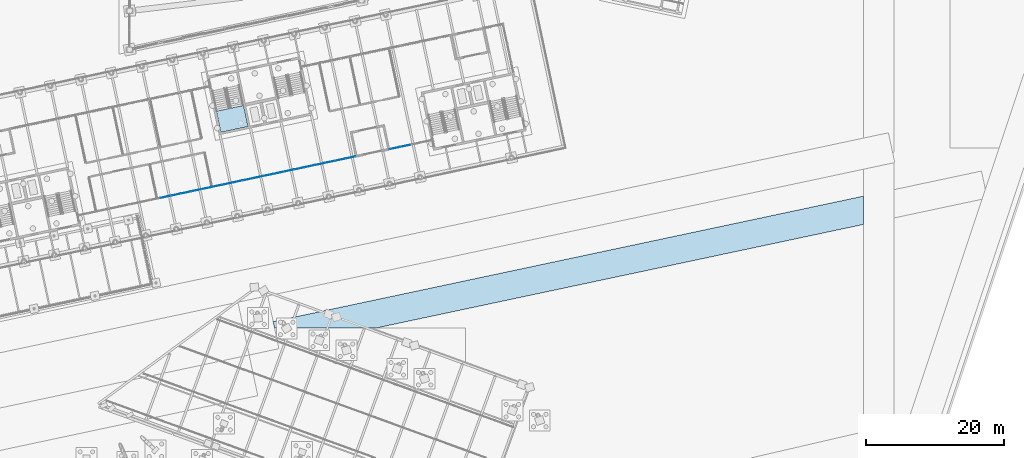
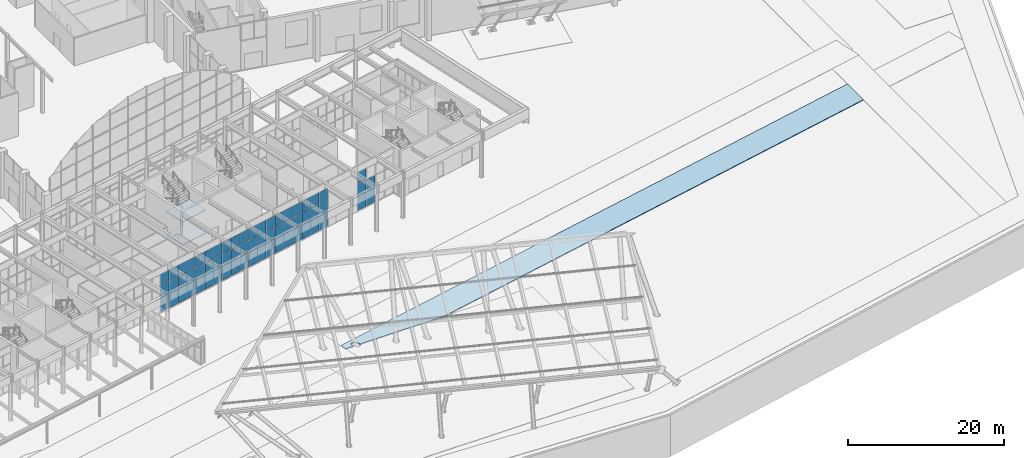
# One storey, part 150 of 239: 62 plates, 3 slabs, 3 elements without a shape of their own.
"""IFC4 building model written with IfcOpenShell, lengths in metres."""

from ifc_helpers import new_model, si_unit, direction, frame, origin, origin_2d, place, context, subcontext, project, spatial, polyline, rectangle, outline, extrude, material, layer, layer_set, type_object, element, aggregate, save


model = new_model("IFC4")

# Units and contexts
model_context = context("Model", 3, precision=1e-05, world=origin(), true_north=direction((0.0, 1.0)))
body_context = subcontext(model_context, "Body", "Model", "MODEL_VIEW")
ifc_project = project(units=[si_unit("LENGTHUNIT", "METRE"), si_unit("AREAUNIT", "SQUARE_METRE"), si_unit("VOLUMEUNIT", "CUBIC_METRE"), si_unit("PLANEANGLEUNIT", "RADIAN"), si_unit("MASSUNIT", "GRAM", prefix="KILO")], contexts=[model_context])

# Site, building, storey
site_placement = place(None, origin())
site = spatial("IfcSite", under=ifc_project, at=site_placement, CompositionType="ELEMENT")
building_placement = place(site_placement, origin())
building = spatial("IfcBuilding", under=site, at=building_placement, Name="Okhra Congress Centre", CompositionType="ELEMENT")
storey_placement = place(building_placement, origin())
storey = spatial("IfcBuildingStorey", under=building, at=storey_placement, Name="L00", CompositionType="ELEMENT", Elevation=0.0)

# Curtain wall, plates
ifc_material_1 = material(Name="Aluminium curtain wall, triple glazing", Category="aluminium")
curtain_wall_type = type_object("IfcCurtainWallType", Name="Curtain wall 1500 module", PredefinedType="NOTDEFINED", material=ifc_material_1)
curtain_wall_1_placement = place(storey_placement, origin())
curtain_wall_1 = element("IfcCurtainWall", 1, at=curtain_wall_1_placement, inside=storey, type_object=curtain_wall_type, Name="Ground curtain wall S4", PredefinedType="NOTDEFINED")
ifc_material_2 = material(Name="Triple glazing unit, low-e coating, argon fill", Category="glass")
ifc_layer_1 = layer(ifc_material_2, 0.028076171875)
ifc_layer_set_1 = layer_set([ifc_layer_1], Name="Curtain wall glazing unit 28")
plate_type = type_object("IfcPlateType", Name="Curtain wall glazing unit 28", PredefinedType="CURTAIN_PANEL", material=ifc_layer_set_1)
plate_1_placement = place(storey_placement, frame((160.68701171875, 52.95947265625, 0.06005859375), z_axis=(0.0, 0.0, 1.0), x_axis=(0.978147600734, 0.207911690818, 0.0)))
plate_1 = element("IfcPlate", 2, at=plate_1_placement, type_object=plate_type, Name="CW7 panel 9.1", PredefinedType="CURTAIN_PANEL", context=body_context, shape_type="SweptSolid", body=[
    extrude(rectangle(XDim=1.45703125, YDim=0.028076171875, at=origin_2d()), origin(), (0.0, 0.0, 1.0), 2.31005859375),
])
plate_2_placement = place(storey_placement, frame((160.68701171875, 52.95947265625, 2.43017578125), z_axis=(0.0, 0.0, 1.0), x_axis=(0.978147600734, 0.207911690818, 0.0)))
plate_2 = element("IfcPlate", 3, at=plate_2_placement, type_object=plate_type, Name="CW7 panel 9.2", PredefinedType="CURTAIN_PANEL", context=body_context, shape_type="SweptSolid", body=[
    extrude(rectangle(XDim=1.45703125, YDim=0.028076171875, at=origin_2d()), origin(), (0.0, 0.0, 1.0), 1.739990234375),
])
plate_3_placement = place(storey_placement, frame((160.68701171875, 52.95947265625, 4.22998046875), z_axis=(0.0, 0.0, 1.0), x_axis=(0.978147600734, 0.207911690818, 0.0)))
plate_3 = element("IfcPlate", 4, at=plate_3_placement, type_object=plate_type, Name="CW7 panel 9.3", PredefinedType="CURTAIN_PANEL", context=body_context, shape_type="SweptSolid", body=[
    extrude(rectangle(XDim=1.45703125, YDim=0.028076171875, at=origin_2d()), origin(), (0.0, 0.0, 1.0), 1.760009765625),
])
plate_4_placement = place(storey_placement, frame((162.1708984375, 53.27490234375, 0.06005859375), z_axis=(0.0, 0.0, 1.0), x_axis=(0.978147600734, 0.207911690818, 0.0)))
plate_4 = element("IfcPlate", 5, at=plate_4_placement, type_object=plate_type, Name="CW7 panel 10.1", PredefinedType="CURTAIN_PANEL", context=body_context, shape_type="SweptSolid", body=[
    extrude(rectangle(XDim=1.45703125, YDim=0.028076171875, at=origin_2d()), origin(), (0.0, 0.0, 1.0), 2.31005859375),
])
plate_5_placement = place(storey_placement, frame((162.1708984375, 53.27490234375, 2.43017578125), z_axis=(0.0, 0.0, 1.0), x_axis=(0.978147600734, 0.207911690818, 0.0)))
plate_5 = element("IfcPlate", 6, at=plate_5_placement, type_object=plate_type, Name="CW7 panel 10.2", PredefinedType="CURTAIN_PANEL", context=body_context, shape_type="SweptSolid", body=[
    extrude(rectangle(XDim=1.45703125, YDim=0.028076171875, at=origin_2d()), origin(), (0.0, 0.0, 1.0), 1.739990234375),
])
plate_6_placement = place(storey_placement, frame((162.1708984375, 53.27490234375, 4.22998046875), z_axis=(0.0, 0.0, 1.0), x_axis=(0.978147600734, 0.207911690818, 0.0)))
plate_6 = element("IfcPlate", 7, at=plate_6_placement, type_object=plate_type, Name="CW7 panel 10.3", PredefinedType="CURTAIN_PANEL", context=body_context, shape_type="SweptSolid", body=[
    extrude(rectangle(XDim=1.45703125, YDim=0.028076171875, at=origin_2d()), origin(), (0.0, 0.0, 1.0), 1.760009765625),
])
plate_7_placement = place(storey_placement, frame((163.65478515625, 53.59033203125, 0.06005859375), z_axis=(0.0, 0.0, 1.0), x_axis=(0.978147600734, 0.207911690818, 0.0)))
plate_7 = element("IfcPlate", 8, at=plate_7_placement, type_object=plate_type, Name="CW7 panel 11.1", PredefinedType="CURTAIN_PANEL", context=body_context, shape_type="SweptSolid", body=[
    extrude(rectangle(XDim=1.45703125, YDim=0.028076171875, at=origin_2d()), origin(), (0.0, 0.0, 1.0), 2.31005859375),
])
plate_8_placement = place(storey_placement, frame((163.65478515625, 53.59033203125, 2.43017578125), z_axis=(0.0, 0.0, 1.0), x_axis=(0.978147600734, 0.207911690818, 0.0)))
plate_8 = element("IfcPlate", 9, at=plate_8_placement, type_object=plate_type, Name="CW7 panel 11.2", PredefinedType="CURTAIN_PANEL", context=body_context, shape_type="SweptSolid", body=[
    extrude(rectangle(XDim=1.45703125, YDim=0.028076171875, at=origin_2d()), origin(), (0.0, 0.0, 1.0), 1.739990234375),
])
plate_9_placement = place(storey_placement, frame((163.65478515625, 53.59033203125, 4.22998046875), z_axis=(0.0, 0.0, 1.0), x_axis=(0.978147600734, 0.207911690818, 0.0)))
plate_9 = element("IfcPlate", 10, at=plate_9_placement, type_object=plate_type, Name="CW7 panel 11.3", PredefinedType="CURTAIN_PANEL", context=body_context, shape_type="SweptSolid", body=[
    extrude(rectangle(XDim=1.45703125, YDim=0.028076171875, at=origin_2d()), origin(), (0.0, 0.0, 1.0), 1.760009765625),
])
plate_10_placement = place(storey_placement, frame((165.138671875, 53.90576171875, 0.06005859375), z_axis=(0.0, 0.0, 1.0), x_axis=(0.978147600734, 0.207911690818, 0.0)))
plate_10 = element("IfcPlate", 11, at=plate_10_placement, type_object=plate_type, Name="CW7 panel 12.1", PredefinedType="CURTAIN_PANEL", context=body_context, shape_type="SweptSolid", body=[
    extrude(rectangle(XDim=1.45703125, YDim=0.028076171875, at=origin_2d()), origin(), (0.0, 0.0, 1.0), 2.31005859375),
])
plate_11_placement = place(storey_placement, frame((165.138671875, 53.90576171875, 2.43017578125), z_axis=(0.0, 0.0, 1.0), x_axis=(0.978147600734, 0.207911690818, 0.0)))
plate_11 = element("IfcPlate", 12, at=plate_11_placement, type_object=plate_type, Name="CW7 panel 12.2", PredefinedType="CURTAIN_PANEL", context=body_context, shape_type="SweptSolid", body=[
    extrude(rectangle(XDim=1.45703125, YDim=0.028076171875, at=origin_2d()), origin(), (0.0, 0.0, 1.0), 1.739990234375),
])
plate_12_placement = place(storey_placement, frame((165.138671875, 53.90576171875, 4.22998046875), z_axis=(0.0, 0.0, 1.0), x_axis=(0.978147600734, 0.207911690818, 0.0)))
plate_12 = element("IfcPlate", 13, at=plate_12_placement, type_object=plate_type, Name="CW7 panel 12.3", PredefinedType="CURTAIN_PANEL", context=body_context, shape_type="SweptSolid", body=[
    extrude(rectangle(XDim=1.45703125, YDim=0.028076171875, at=origin_2d()), origin(), (0.0, 0.0, 1.0), 1.760009765625),
])
plate_13_placement = place(storey_placement, frame((166.62255859375, 54.22119140625, 0.06005859375), z_axis=(0.0, 0.0, 1.0), x_axis=(0.978147600734, 0.207911690818, 0.0)))
plate_13 = element("IfcPlate", 14, at=plate_13_placement, type_object=plate_type, Name="CW7 panel 13.1", PredefinedType="CURTAIN_PANEL", context=body_context, shape_type="SweptSolid", body=[
    extrude(rectangle(XDim=1.45703125, YDim=0.028076171875, at=origin_2d()), origin(), (0.0, 0.0, 1.0), 2.31005859375),
])
plate_14_placement = place(storey_placement, frame((166.62255859375, 54.22119140625, 2.43017578125), z_axis=(0.0, 0.0, 1.0), x_axis=(0.978147600734, 0.207911690818, 0.0)))
plate_14 = element("IfcPlate", 15, at=plate_14_placement, type_object=plate_type, Name="CW7 panel 13.2", PredefinedType="CURTAIN_PANEL", context=body_context, shape_type="SweptSolid", body=[
    extrude(rectangle(XDim=1.45703125, YDim=0.028076171875, at=origin_2d()), origin(), (0.0, 0.0, 1.0), 1.739990234375),
])
plate_15_placement = place(storey_placement, frame((166.62255859375, 54.22119140625, 4.22998046875), z_axis=(0.0, 0.0, 1.0), x_axis=(0.978147600734, 0.207911690818, 0.0)))
plate_15 = element("IfcPlate", 16, at=plate_15_placement, type_object=plate_type, Name="CW7 panel 13.3", PredefinedType="CURTAIN_PANEL", context=body_context, shape_type="SweptSolid", body=[
    extrude(rectangle(XDim=1.45703125, YDim=0.028076171875, at=origin_2d()), origin(), (0.0, 0.0, 1.0), 1.760009765625),
])
plate_16_placement = place(storey_placement, frame((168.1064453125, 54.53662109375, 0.06005859375), z_axis=(0.0, 0.0, 1.0), x_axis=(0.978147600734, 0.207911690818, 0.0)))
plate_16 = element("IfcPlate", 17, at=plate_16_placement, type_object=plate_type, Name="CW7 panel 14.1", PredefinedType="CURTAIN_PANEL", context=body_context, shape_type="SweptSolid", body=[
    extrude(rectangle(XDim=1.45703125, YDim=0.028076171875, at=origin_2d()), origin(), (0.0, 0.0, 1.0), 2.31005859375),
])
plate_17_placement = place(storey_placement, frame((168.1064453125, 54.53662109375, 2.43017578125), z_axis=(0.0, 0.0, 1.0), x_axis=(0.978147600734, 0.207911690818, 0.0)))
plate_17 = element("IfcPlate", 18, at=plate_17_placement, type_object=plate_type, Name="CW7 panel 14.2", PredefinedType="CURTAIN_PANEL", context=body_context, shape_type="SweptSolid", body=[
    extrude(rectangle(XDim=1.45703125, YDim=0.028076171875, at=origin_2d()), origin(), (0.0, 0.0, 1.0), 1.739990234375),
])
plate_18_placement = place(storey_placement, frame((168.1064453125, 54.53662109375, 4.22998046875), z_axis=(0.0, 0.0, 1.0), x_axis=(0.978147600734, 0.207911690818, 0.0)))
plate_18 = element("IfcPlate", 19, at=plate_18_placement, type_object=plate_type, Name="CW7 panel 14.3", PredefinedType="CURTAIN_PANEL", context=body_context, shape_type="SweptSolid", body=[
    extrude(rectangle(XDim=1.45703125, YDim=0.028076171875, at=origin_2d()), origin(), (0.0, 0.0, 1.0), 1.760009765625),
])
plate_19_placement = place(storey_placement, frame((169.59033203125, 54.85205078125, 0.06005859375), z_axis=(0.0, 0.0, 1.0), x_axis=(0.978147600734, 0.207911690818, 0.0)))
plate_19 = element("IfcPlate", 20, at=plate_19_placement, type_object=plate_type, Name="CW7 panel 15.1", PredefinedType="CURTAIN_PANEL", context=body_context, shape_type="SweptSolid", body=[
    extrude(rectangle(XDim=1.45703125, YDim=0.028076171875, at=origin_2d()), origin(), (0.0, 0.0, 1.0), 2.31005859375),
])
plate_20_placement = place(storey_placement, frame((169.59033203125, 54.85205078125, 2.43017578125), z_axis=(0.0, 0.0, 1.0), x_axis=(0.978147600734, 0.207911690818, 0.0)))
plate_20 = element("IfcPlate", 21, at=plate_20_placement, type_object=plate_type, Name="CW7 panel 15.2", PredefinedType="CURTAIN_PANEL", context=body_context, shape_type="SweptSolid", body=[
    extrude(rectangle(XDim=1.45703125, YDim=0.028076171875, at=origin_2d()), origin(), (0.0, 0.0, 1.0), 1.739990234375),
])
plate_21_placement = place(storey_placement, frame((169.59033203125, 54.85205078125, 4.22998046875), z_axis=(0.0, 0.0, 1.0), x_axis=(0.978147600734, 0.207911690818, 0.0)))
plate_21 = element("IfcPlate", 22, at=plate_21_placement, type_object=plate_type, Name="CW7 panel 15.3", PredefinedType="CURTAIN_PANEL", context=body_context, shape_type="SweptSolid", body=[
    extrude(rectangle(XDim=1.45703125, YDim=0.028076171875, at=origin_2d()), origin(), (0.0, 0.0, 1.0), 1.760009765625),
])
plate_22_placement = place(storey_placement, frame((171.07421875, 55.16748046875, 0.06005859375), z_axis=(0.0, 0.0, 1.0), x_axis=(0.978147600734, 0.207911690818, 0.0)))
plate_22 = element("IfcPlate", 23, at=plate_22_placement, type_object=plate_type, Name="CW7 panel 16.1", PredefinedType="CURTAIN_PANEL", context=body_context, shape_type="SweptSolid", body=[
    extrude(rectangle(XDim=1.45703125, YDim=0.028076171875, at=origin_2d()), origin(), (0.0, 0.0, 1.0), 2.31005859375),
])
plate_23_placement = place(storey_placement, frame((171.07421875, 55.16748046875, 2.43017578125), z_axis=(0.0, 0.0, 1.0), x_axis=(0.978147600734, 0.207911690818, 0.0)))
plate_23 = element("IfcPlate", 24, at=plate_23_placement, type_object=plate_type, Name="CW7 panel 16.2", PredefinedType="CURTAIN_PANEL", context=body_context, shape_type="SweptSolid", body=[
    extrude(rectangle(XDim=1.45703125, YDim=0.028076171875, at=origin_2d()), origin(), (0.0, 0.0, 1.0), 1.739990234375),
])
plate_24_placement = place(storey_placement, frame((171.07421875, 55.16748046875, 4.22998046875), z_axis=(0.0, 0.0, 1.0), x_axis=(0.978147600734, 0.207911690818, 0.0)))
plate_24 = element("IfcPlate", 25, at=plate_24_placement, type_object=plate_type, Name="CW7 panel 16.3", PredefinedType="CURTAIN_PANEL", context=body_context, shape_type="SweptSolid", body=[
    extrude(rectangle(XDim=1.45703125, YDim=0.028076171875, at=origin_2d()), origin(), (0.0, 0.0, 1.0), 1.760009765625),
])
plate_25_placement = place(storey_placement, frame((172.55810546875, 55.482666015625, 0.06005859375), z_axis=(0.0, 0.0, 1.0), x_axis=(0.978147600734, 0.207911690818, 0.0)))
plate_25 = element("IfcPlate", 26, at=plate_25_placement, type_object=plate_type, Name="CW7 panel 17.1", PredefinedType="CURTAIN_PANEL", context=body_context, shape_type="SweptSolid", body=[
    extrude(rectangle(XDim=1.45703125, YDim=0.028076171875, at=origin_2d()), origin(), (0.0, 0.0, 1.0), 2.31005859375),
])
plate_26_placement = place(storey_placement, frame((172.55810546875, 55.482666015625, 2.43017578125), z_axis=(0.0, 0.0, 1.0), x_axis=(0.978147600734, 0.207911690818, 0.0)))
plate_26 = element("IfcPlate", 27, at=plate_26_placement, type_object=plate_type, Name="CW7 panel 17.2", PredefinedType="CURTAIN_PANEL", context=body_context, shape_type="SweptSolid", body=[
    extrude(rectangle(XDim=1.45703125, YDim=0.028076171875, at=origin_2d()), origin(), (0.0, 0.0, 1.0), 1.739990234375),
])
plate_27_placement = place(storey_placement, frame((172.55810546875, 55.482666015625, 4.22998046875), z_axis=(0.0, 0.0, 1.0), x_axis=(0.978147600734, 0.207911690818, 0.0)))
plate_27 = element("IfcPlate", 28, at=plate_27_placement, type_object=plate_type, Name="CW7 panel 17.3", PredefinedType="CURTAIN_PANEL", context=body_context, shape_type="SweptSolid", body=[
    extrude(rectangle(XDim=1.45703125, YDim=0.028076171875, at=origin_2d()), origin(), (0.0, 0.0, 1.0), 1.760009765625),
])
plate_28_placement = place(storey_placement, frame((174.0419921875, 55.798095703125, 0.06005859375), z_axis=(0.0, 0.0, 1.0), x_axis=(0.978147600734, 0.207911690818, 0.0)))
plate_28 = element("IfcPlate", 29, at=plate_28_placement, type_object=plate_type, Name="CW7 panel 18.1", PredefinedType="CURTAIN_PANEL", context=body_context, shape_type="SweptSolid", body=[
    extrude(rectangle(XDim=1.45703125, YDim=0.028076171875, at=origin_2d()), origin(), (0.0, 0.0, 1.0), 2.31005859375),
])
plate_29_placement = place(storey_placement, frame((174.0419921875, 55.798095703125, 2.43017578125), z_axis=(0.0, 0.0, 1.0), x_axis=(0.978147600734, 0.207911690818, 0.0)))
plate_29 = element("IfcPlate", 30, at=plate_29_placement, type_object=plate_type, Name="CW7 panel 18.2", PredefinedType="CURTAIN_PANEL", context=body_context, shape_type="SweptSolid", body=[
    extrude(rectangle(XDim=1.45703125, YDim=0.028076171875, at=origin_2d()), origin(), (0.0, 0.0, 1.0), 1.739990234375),
])
plate_30_placement = place(storey_placement, frame((174.0419921875, 55.798095703125, 4.22998046875), z_axis=(0.0, 0.0, 1.0), x_axis=(0.978147600734, 0.207911690818, 0.0)))
plate_30 = element("IfcPlate", 31, at=plate_30_placement, type_object=plate_type, Name="CW7 panel 18.3", PredefinedType="CURTAIN_PANEL", context=body_context, shape_type="SweptSolid", body=[
    extrude(rectangle(XDim=1.45703125, YDim=0.028076171875, at=origin_2d()), origin(), (0.0, 0.0, 1.0), 1.760009765625),
])
plate_31_placement = place(storey_placement, frame((175.52587890625, 56.113525390625, 0.06005859375), z_axis=(0.0, 0.0, 1.0), x_axis=(0.978147600734, 0.207911690818, 0.0)))
plate_31 = element("IfcPlate", 32, at=plate_31_placement, type_object=plate_type, Name="CW7 panel 19.1", PredefinedType="CURTAIN_PANEL", context=body_context, shape_type="SweptSolid", body=[
    extrude(rectangle(XDim=1.45703125, YDim=0.028076171875, at=origin_2d()), origin(), (0.0, 0.0, 1.0), 2.31005859375),
])
plate_32_placement = place(storey_placement, frame((175.52587890625, 56.113525390625, 2.43017578125), z_axis=(0.0, 0.0, 1.0), x_axis=(0.978147600734, 0.207911690818, 0.0)))
plate_32 = element("IfcPlate", 33, at=plate_32_placement, type_object=plate_type, Name="CW7 panel 19.2", PredefinedType="CURTAIN_PANEL", context=body_context, shape_type="SweptSolid", body=[
    extrude(rectangle(XDim=1.45703125, YDim=0.028076171875, at=origin_2d()), origin(), (0.0, 0.0, 1.0), 1.739990234375),
])
plate_33_placement = place(storey_placement, frame((175.52587890625, 56.113525390625, 4.22998046875), z_axis=(0.0, 0.0, 1.0), x_axis=(0.978147600734, 0.207911690818, 0.0)))
plate_33 = element("IfcPlate", 34, at=plate_33_placement, type_object=plate_type, Name="CW7 panel 19.3", PredefinedType="CURTAIN_PANEL", context=body_context, shape_type="SweptSolid", body=[
    extrude(rectangle(XDim=1.45703125, YDim=0.028076171875, at=origin_2d()), origin(), (0.0, 0.0, 1.0), 1.760009765625),
])
plate_34_placement = place(storey_placement, frame((177.009765625, 56.428955078125, 0.06005859375), z_axis=(0.0, 0.0, 1.0), x_axis=(0.978147600734, 0.207911690818, 0.0)))
plate_34 = element("IfcPlate", 35, at=plate_34_placement, type_object=plate_type, Name="CW7 panel 20.1", PredefinedType="CURTAIN_PANEL", context=body_context, shape_type="SweptSolid", body=[
    extrude(rectangle(XDim=1.45703125, YDim=0.028076171875, at=origin_2d()), origin(), (0.0, 0.0, 1.0), 2.31005859375),
])
plate_35_placement = place(storey_placement, frame((177.009765625, 56.428955078125, 2.43017578125), z_axis=(0.0, 0.0, 1.0), x_axis=(0.978147600734, 0.207911690818, 0.0)))
plate_35 = element("IfcPlate", 36, at=plate_35_placement, type_object=plate_type, Name="CW7 panel 20.2", PredefinedType="CURTAIN_PANEL", context=body_context, shape_type="SweptSolid", body=[
    extrude(rectangle(XDim=1.45703125, YDim=0.028076171875, at=origin_2d()), origin(), (0.0, 0.0, 1.0), 1.739990234375),
])
plate_36_placement = place(storey_placement, frame((177.009765625, 56.428955078125, 4.22998046875), z_axis=(0.0, 0.0, 1.0), x_axis=(0.978147600734, 0.207911690818, 0.0)))
plate_36 = element("IfcPlate", 37, at=plate_36_placement, type_object=plate_type, Name="CW7 panel 20.3", PredefinedType="CURTAIN_PANEL", context=body_context, shape_type="SweptSolid", body=[
    extrude(rectangle(XDim=1.45703125, YDim=0.028076171875, at=origin_2d()), origin(), (0.0, 0.0, 1.0), 1.760009765625),
])
plate_37_placement = place(storey_placement, frame((178.49365234375, 56.744384765625, 0.06005859375), z_axis=(0.0, 0.0, 1.0), x_axis=(0.978147600734, 0.207911690818, 0.0)))
plate_37 = element("IfcPlate", 38, at=plate_37_placement, type_object=plate_type, Name="CW7 panel 21.1", PredefinedType="CURTAIN_PANEL", context=body_context, shape_type="SweptSolid", body=[
    extrude(rectangle(XDim=1.45703125, YDim=0.028076171875, at=origin_2d()), origin(), (0.0, 0.0, 1.0), 2.31005859375),
])
plate_38_placement = place(storey_placement, frame((178.49365234375, 56.744384765625, 2.43017578125), z_axis=(0.0, 0.0, 1.0), x_axis=(0.978147600734, 0.207911690818, 0.0)))
plate_38 = element("IfcPlate", 39, at=plate_38_placement, type_object=plate_type, Name="CW7 panel 21.2", PredefinedType="CURTAIN_PANEL", context=body_context, shape_type="SweptSolid", body=[
    extrude(rectangle(XDim=1.45703125, YDim=0.028076171875, at=origin_2d()), origin(), (0.0, 0.0, 1.0), 1.739990234375),
])
plate_39_placement = place(storey_placement, frame((178.49365234375, 56.744384765625, 4.22998046875), z_axis=(0.0, 0.0, 1.0), x_axis=(0.978147600734, 0.207911690818, 0.0)))
plate_39 = element("IfcPlate", 40, at=plate_39_placement, type_object=plate_type, Name="CW7 panel 21.3", PredefinedType="CURTAIN_PANEL", context=body_context, shape_type="SweptSolid", body=[
    extrude(rectangle(XDim=1.45703125, YDim=0.028076171875, at=origin_2d()), origin(), (0.0, 0.0, 1.0), 1.760009765625),
])
plate_40_placement = place(storey_placement, frame((179.9775390625, 57.059814453125, 0.06005859375), z_axis=(0.0, 0.0, 1.0), x_axis=(0.978147600734, 0.207911690818, 0.0)))
plate_40 = element("IfcPlate", 41, at=plate_40_placement, type_object=plate_type, Name="CW7 panel 22.1", PredefinedType="CURTAIN_PANEL", context=body_context, shape_type="SweptSolid", body=[
    extrude(rectangle(XDim=1.45703125, YDim=0.028076171875, at=origin_2d()), origin(), (0.0, 0.0, 1.0), 2.31005859375),
])
plate_41_placement = place(storey_placement, frame((179.9775390625, 57.059814453125, 2.43017578125), z_axis=(0.0, 0.0, 1.0), x_axis=(0.978147600734, 0.207911690818, 0.0)))
plate_41 = element("IfcPlate", 42, at=plate_41_placement, type_object=plate_type, Name="CW7 panel 22.2", PredefinedType="CURTAIN_PANEL", context=body_context, shape_type="SweptSolid", body=[
    extrude(rectangle(XDim=1.45703125, YDim=0.028076171875, at=origin_2d()), origin(), (0.0, 0.0, 1.0), 1.739990234375),
])
plate_42_placement = place(storey_placement, frame((179.9775390625, 57.059814453125, 4.22998046875), z_axis=(0.0, 0.0, 1.0), x_axis=(0.978147600734, 0.207911690818, 0.0)))
plate_42 = element("IfcPlate", 43, at=plate_42_placement, type_object=plate_type, Name="CW7 panel 22.3", PredefinedType="CURTAIN_PANEL", context=body_context, shape_type="SweptSolid", body=[
    extrude(rectangle(XDim=1.45703125, YDim=0.028076171875, at=origin_2d()), origin(), (0.0, 0.0, 1.0), 1.760009765625),
])
plate_43_placement = place(storey_placement, frame((181.46142578125, 57.375244140625, 0.06005859375), z_axis=(0.0, 0.0, 1.0), x_axis=(0.978147600734, 0.207911690818, 0.0)))
plate_43 = element("IfcPlate", 44, at=plate_43_placement, type_object=plate_type, Name="CW7 panel 23.1", PredefinedType="CURTAIN_PANEL", context=body_context, shape_type="SweptSolid", body=[
    extrude(rectangle(XDim=1.45703125, YDim=0.028076171875, at=origin_2d()), origin(), (0.0, 0.0, 1.0), 2.31005859375),
])
plate_44_placement = place(storey_placement, frame((181.46142578125, 57.375244140625, 2.43017578125), z_axis=(0.0, 0.0, 1.0), x_axis=(0.978147600734, 0.207911690818, 0.0)))
plate_44 = element("IfcPlate", 45, at=plate_44_placement, type_object=plate_type, Name="CW7 panel 23.2", PredefinedType="CURTAIN_PANEL", context=body_context, shape_type="SweptSolid", body=[
    extrude(rectangle(XDim=1.45703125, YDim=0.028076171875, at=origin_2d()), origin(), (0.0, 0.0, 1.0), 1.739990234375),
])
plate_45_placement = place(storey_placement, frame((181.46142578125, 57.375244140625, 4.22998046875), z_axis=(0.0, 0.0, 1.0), x_axis=(0.978147600734, 0.207911690818, 0.0)))
plate_45 = element("IfcPlate", 46, at=plate_45_placement, type_object=plate_type, Name="CW7 panel 23.3", PredefinedType="CURTAIN_PANEL", context=body_context, shape_type="SweptSolid", body=[
    extrude(rectangle(XDim=1.45703125, YDim=0.028076171875, at=origin_2d()), origin(), (0.0, 0.0, 1.0), 1.760009765625),
])
plate_46_placement = place(storey_placement, frame((182.9453125, 57.690673828125, 0.06005859375), z_axis=(0.0, 0.0, 1.0), x_axis=(0.978147600734, 0.207911690818, 0.0)))
plate_46 = element("IfcPlate", 47, at=plate_46_placement, type_object=plate_type, Name="CW7 panel 24.1", PredefinedType="CURTAIN_PANEL", context=body_context, shape_type="SweptSolid", body=[
    extrude(rectangle(XDim=1.45703125, YDim=0.028076171875, at=origin_2d()), origin(), (0.0, 0.0, 1.0), 2.31005859375),
])
plate_47_placement = place(storey_placement, frame((182.9453125, 57.690673828125, 2.43017578125), z_axis=(0.0, 0.0, 1.0), x_axis=(0.978147600734, 0.207911690818, 0.0)))
plate_47 = element("IfcPlate", 48, at=plate_47_placement, type_object=plate_type, Name="CW7 panel 24.2", PredefinedType="CURTAIN_PANEL", context=body_context, shape_type="SweptSolid", body=[
    extrude(rectangle(XDim=1.45703125, YDim=0.028076171875, at=origin_2d()), origin(), (0.0, 0.0, 1.0), 1.739990234375),
])
plate_48_placement = place(storey_placement, frame((182.9453125, 57.690673828125, 4.22998046875), z_axis=(0.0, 0.0, 1.0), x_axis=(0.978147600734, 0.207911690818, 0.0)))
plate_48 = element("IfcPlate", 49, at=plate_48_placement, type_object=plate_type, Name="CW7 panel 24.3", PredefinedType="CURTAIN_PANEL", context=body_context, shape_type="SweptSolid", body=[
    extrude(rectangle(XDim=1.45703125, YDim=0.028076171875, at=origin_2d()), origin(), (0.0, 0.0, 1.0), 1.760009765625),
])
plate_49_placement = place(storey_placement, frame((184.42919921875, 58.006103515625, 0.06005859375), z_axis=(0.0, 0.0, 1.0), x_axis=(0.978147600734, 0.207911690818, 0.0)))
plate_49 = element("IfcPlate", 50, at=plate_49_placement, type_object=plate_type, Name="CW7 panel 25.1", PredefinedType="CURTAIN_PANEL", context=body_context, shape_type="SweptSolid", body=[
    extrude(rectangle(XDim=1.45703125, YDim=0.028076171875, at=origin_2d()), origin(), (0.0, 0.0, 1.0), 2.31005859375),
])
plate_50_placement = place(storey_placement, frame((184.42919921875, 58.006103515625, 2.43017578125), z_axis=(0.0, 0.0, 1.0), x_axis=(0.978147600734, 0.207911690818, 0.0)))
plate_50 = element("IfcPlate", 51, at=plate_50_placement, type_object=plate_type, Name="CW7 panel 25.2", PredefinedType="CURTAIN_PANEL", context=body_context, shape_type="SweptSolid", body=[
    extrude(rectangle(XDim=1.45703125, YDim=0.028076171875, at=origin_2d()), origin(), (0.0, 0.0, 1.0), 1.739990234375),
])
plate_51_placement = place(storey_placement, frame((184.42919921875, 58.006103515625, 4.22998046875), z_axis=(0.0, 0.0, 1.0), x_axis=(0.978147600734, 0.207911690818, 0.0)))
plate_51 = element("IfcPlate", 52, at=plate_51_placement, type_object=plate_type, Name="CW7 panel 25.3", PredefinedType="CURTAIN_PANEL", context=body_context, shape_type="SweptSolid", body=[
    extrude(rectangle(XDim=1.45703125, YDim=0.028076171875, at=origin_2d()), origin(), (0.0, 0.0, 1.0), 1.760009765625),
])
plate_52_placement = place(storey_placement, frame((185.9130859375, 58.321533203125, 0.06005859375), z_axis=(0.0, 0.0, 1.0), x_axis=(0.978147600734, 0.207911690818, 0.0)))
plate_52 = element("IfcPlate", 53, at=plate_52_placement, type_object=plate_type, Name="CW7 panel 26.1", PredefinedType="CURTAIN_PANEL", context=body_context, shape_type="SweptSolid", body=[
    extrude(rectangle(XDim=1.45703125, YDim=0.028076171875, at=origin_2d()), origin(), (0.0, 0.0, 1.0), 2.31005859375),
])
plate_53_placement = place(storey_placement, frame((185.9130859375, 58.321533203125, 2.43017578125), z_axis=(0.0, 0.0, 1.0), x_axis=(0.978147600734, 0.207911690818, 0.0)))
plate_53 = element("IfcPlate", 54, at=plate_53_placement, type_object=plate_type, Name="CW7 panel 26.2", PredefinedType="CURTAIN_PANEL", context=body_context, shape_type="SweptSolid", body=[
    extrude(rectangle(XDim=1.45703125, YDim=0.028076171875, at=origin_2d()), origin(), (0.0, 0.0, 1.0), 1.739990234375),
])
plate_54_placement = place(storey_placement, frame((185.9130859375, 58.321533203125, 4.22998046875), z_axis=(0.0, 0.0, 1.0), x_axis=(0.978147600734, 0.207911690818, 0.0)))
plate_54 = element("IfcPlate", 55, at=plate_54_placement, type_object=plate_type, Name="CW7 panel 26.3", PredefinedType="CURTAIN_PANEL", context=body_context, shape_type="SweptSolid", body=[
    extrude(rectangle(XDim=1.45703125, YDim=0.028076171875, at=origin_2d()), origin(), (0.0, 0.0, 1.0), 1.760009765625),
])
plate_55_placement = place(storey_placement, frame((187.38232421875, 58.6337890625, 0.06005859375), z_axis=(0.0, 0.0, 1.0), x_axis=(0.978147600734, 0.207911690818, 0.0)))
plate_55 = element("IfcPlate", 56, at=plate_55_placement, type_object=plate_type, Name="CW7 panel 27.1", PredefinedType="CURTAIN_PANEL", context=body_context, shape_type="SweptSolid", body=[
    extrude(rectangle(XDim=1.427001953125, YDim=0.028076171875, at=origin_2d()), origin(), (0.0, 0.0, 1.0), 2.31005859375),
])
plate_56_placement = place(storey_placement, frame((187.38232421875, 58.6337890625, 2.43017578125), z_axis=(0.0, 0.0, 1.0), x_axis=(0.978147600734, 0.207911690818, 0.0)))
plate_56 = element("IfcPlate", 57, at=plate_56_placement, type_object=plate_type, Name="CW7 panel 27.2", PredefinedType="CURTAIN_PANEL", context=body_context, shape_type="SweptSolid", body=[
    extrude(rectangle(XDim=1.427001953125, YDim=0.028076171875, at=origin_2d()), origin(), (0.0, 0.0, 1.0), 1.739990234375),
])
plate_57_placement = place(storey_placement, frame((187.38232421875, 58.6337890625, 4.22998046875), z_axis=(0.0, 0.0, 1.0), x_axis=(0.978147600734, 0.207911690818, 0.0)))
plate_57 = element("IfcPlate", 58, at=plate_57_placement, type_object=plate_type, Name="CW7 panel 27.3", PredefinedType="CURTAIN_PANEL", context=body_context, shape_type="SweptSolid", body=[
    extrude(rectangle(XDim=1.427001953125, YDim=0.028076171875, at=origin_2d()), origin(), (0.0, 0.0, 1.0), 1.760009765625),
])
aggregate(curtain_wall_1, [plate_1, plate_2, plate_3, plate_4, plate_5, plate_6, plate_7, plate_8, plate_9, plate_10, plate_11, plate_12, plate_13, plate_14, plate_15, plate_16, plate_17, plate_18, plate_19, plate_20, plate_21, plate_22, plate_23, plate_24, plate_25, plate_26, plate_27, plate_28, plate_29, plate_30, plate_31, plate_32, plate_33, plate_34, plate_35, plate_36, plate_37, plate_38, plate_39, plate_40, plate_41, plate_42, plate_43, plate_44, plate_45, plate_46, plate_47, plate_48, plate_49, plate_50, plate_51, plate_52, plate_53, plate_54, plate_55, plate_56, plate_57])

curtain_wall_2_placement = place(storey_placement, origin())
curtain_wall_2 = element("IfcCurtainWall", 59, at=curtain_wall_2_placement, inside=storey, type_object=curtain_wall_type, Name="Ground curtain wall S5", PredefinedType="NOTDEFINED")
plate_58_placement = place(storey_placement, frame((193.809814453125, 60.0, 0.06005859375), z_axis=(0.0, 0.0, 1.0), x_axis=(0.978147600734, 0.207911690818, 0.0)))
plate_58 = element("IfcPlate", 60, at=plate_58_placement, type_object=plate_type, Name="CW7 panel 1.1", PredefinedType="CURTAIN_PANEL", context=body_context, shape_type="SweptSolid", body=[
    extrude(rectangle(XDim=1.47509765625, YDim=0.028076171875, at=origin_2d()), origin(), (0.0, 0.0, 1.0), 2.31005859375),
])
plate_59_placement = place(storey_placement, frame((193.809814453125, 60.0, 2.43017578125), z_axis=(0.0, 0.0, 1.0), x_axis=(0.978147600734, 0.207911690818, 0.0)))
plate_59 = element("IfcPlate", 61, at=plate_59_placement, type_object=plate_type, Name="CW7 panel 1.2", PredefinedType="CURTAIN_PANEL", context=body_context, shape_type="SweptSolid", body=[
    extrude(rectangle(XDim=1.47509765625, YDim=0.028076171875, at=origin_2d()), origin(), (0.0, 0.0, 1.0), 1.739990234375),
])
plate_60_placement = place(storey_placement, frame((193.809814453125, 60.0, 4.22998046875), z_axis=(0.0, 0.0, 1.0), x_axis=(0.978147600734, 0.207911690818, 0.0)))
plate_60 = element("IfcPlate", 62, at=plate_60_placement, type_object=plate_type, Name="CW7 panel 1.3", PredefinedType="CURTAIN_PANEL", context=body_context, shape_type="SweptSolid", body=[
    extrude(rectangle(XDim=1.47509765625, YDim=0.028076171875, at=origin_2d()), origin(), (0.0, 0.0, 1.0), 1.760009765625),
])
plate_61_placement = place(storey_placement, frame((195.325927734375, 60.322265625, 0.06005859375), z_axis=(0.0, 0.0, 1.0), x_axis=(0.978147600734, 0.207911690818, 0.0)))
plate_61 = element("IfcPlate", 63, at=plate_61_placement, type_object=plate_type, Name="CW7 panel 2.1", PredefinedType="CURTAIN_PANEL", context=body_context, shape_type="SweptSolid", body=[
    extrude(rectangle(XDim=1.5048828125, YDim=0.028076171875, at=origin_2d()), origin(), (0.0, 0.0, 1.0), 2.31005859375),
])
plate_62_placement = place(storey_placement, frame((195.325927734375, 60.322265625, 2.43017578125), z_axis=(0.0, 0.0, 1.0), x_axis=(0.978147600734, 0.207911690818, 0.0)))
plate_62 = element("IfcPlate", 64, at=plate_62_placement, type_object=plate_type, Name="CW7 panel 2.2", PredefinedType="CURTAIN_PANEL", context=body_context, shape_type="SweptSolid", body=[
    extrude(rectangle(XDim=1.5048828125, YDim=0.028076171875, at=origin_2d()), origin(), (0.0, 0.0, 1.0), 1.739990234375),
])
aggregate(curtain_wall_2, [plate_58, plate_59, plate_60, plate_61, plate_62])

# Slab
ifc_material_3 = material(Name="Concrete C30/37", Category="concrete")
ifc_layer_2 = layer(ifc_material_3, 0.14990234375)
ifc_layer_set_2 = layer_set([ifc_layer_2], Name="Paving slab 150 C30/37")
slab_type_1 = type_object("IfcSlabType", Name="Paving slab 150 C30/37", PredefinedType="BASESLAB", material=ifc_layer_set_2)
slab_1_placement = place(storey_placement, frame((0.0, 0.0, -0.14990234375)))
element("IfcSlab", 65, at=slab_1_placement, inside=storey, type_object=slab_type_1, Name="Court Path East 2 paving", PredefinedType="BASESLAB", context=body_context, shape_type="SweptSolid", body=[
    extrude(outline(polyline([(177.527099609375, 34.2705078125), (177.518798828125, 34.310302734375), (177.514404296875, 34.350830078125), (177.517822265625, 34.43212890625), (177.537109375, 34.51123046875), (177.552490234375, 34.548828125), (177.5712890625, 34.5849609375), (177.619384765625, 34.650634765625), (177.67919921875, 34.705810546875), (177.712890625, 34.728515625), (177.748779296875, 34.748046875), (177.8251953125, 34.77587890625), (177.905517578125, 34.78857421875), (177.9462890625, 34.788818359375), (178.02685546875, 34.77734375), (178.103759765625, 34.75048828125), (178.173583984375, 34.709228515625), (178.234375, 34.655029296875), (178.283203125, 34.590087890625), (178.539306640625, 34.169921875), (178.55859375, 34.13427734375), (178.615234375, 34.0), (191.03564453125, 34.0), (261.5, 48.977783203125), (261.5, 53.06689453125), (176.23779296875, 34.944091796875), (176.438232421875, 34.0), (177.611083984375, 34.0), (177.527099609375, 34.2705078125)])), origin(), (0.0, 0.0, 1.0), 0.14990234375),
])

# Stair, slabs
stair_type = type_object("IfcStairType", Name="Escape stair 1900 wide, 44 risers of 163.6", PredefinedType="HALF_TURN_STAIR", material=ifc_material_3)
stair_placement = place(storey_placement, origin())
stair = element("IfcStair", 66, at=stair_placement, inside=storey, type_object=stair_type, Name="L00 Escape stair 4A", PredefinedType="HALF_TURN_STAIR")
ifc_layer_3 = layer(ifc_material_3, 0.199951171875)
ifc_layer_set_3 = layer_set([ifc_layer_3], Name="RC stair landing 200 C30/37")
slab_type_2 = type_object("IfcSlabType", Name="RC stair landing 200 C30/37", PredefinedType="LANDING", material=ifc_layer_set_3)
slab_2_placement = place(storey_placement, frame((0.0, 0.0, 1.60009765625)))
slab_2 = element("IfcSlab", 67, at=slab_2_placement, type_object=slab_type_2, Name="BS4A landing 1", PredefinedType="LANDING", context=body_context, shape_type="SweptSolid", body=[
    extrude(outline(polyline([(168.03515625, 65.332763671875), (171.95751953125, 66.16650390625), (172.604248046875, 63.124267578125), (168.681884765625, 62.29052734375), (168.03515625, 65.332763671875)])), origin(), (0.0, 0.0, 1.0), 0.199951171875),
])
slab_3_placement = place(storey_placement, frame((0.0, 0.0, 5.199951171875)))
slab_3 = element("IfcSlab", 68, at=slab_3_placement, type_object=slab_type_2, Name="BS4A landing 3", PredefinedType="LANDING", context=body_context, shape_type="SweptSolid", body=[
    extrude(outline(polyline([(168.03515625, 65.332763671875), (171.95751953125, 66.16650390625), (172.604248046875, 63.124267578125), (168.681884765625, 62.29052734375), (168.03515625, 65.332763671875)])), origin(), (0.0, 0.0, 1.0), 0.199951171875),
])
aggregate(stair, [slab_2, slab_3])

save(model, "model.ifc")
